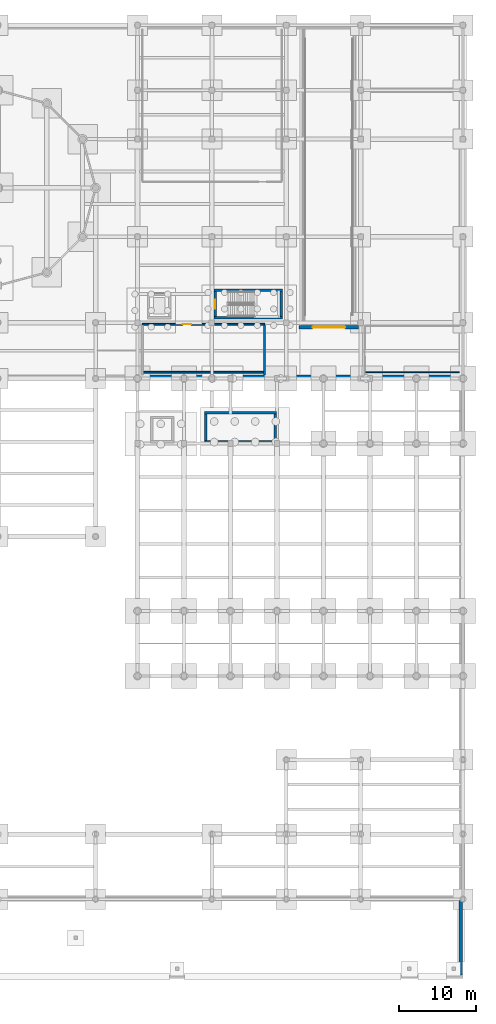
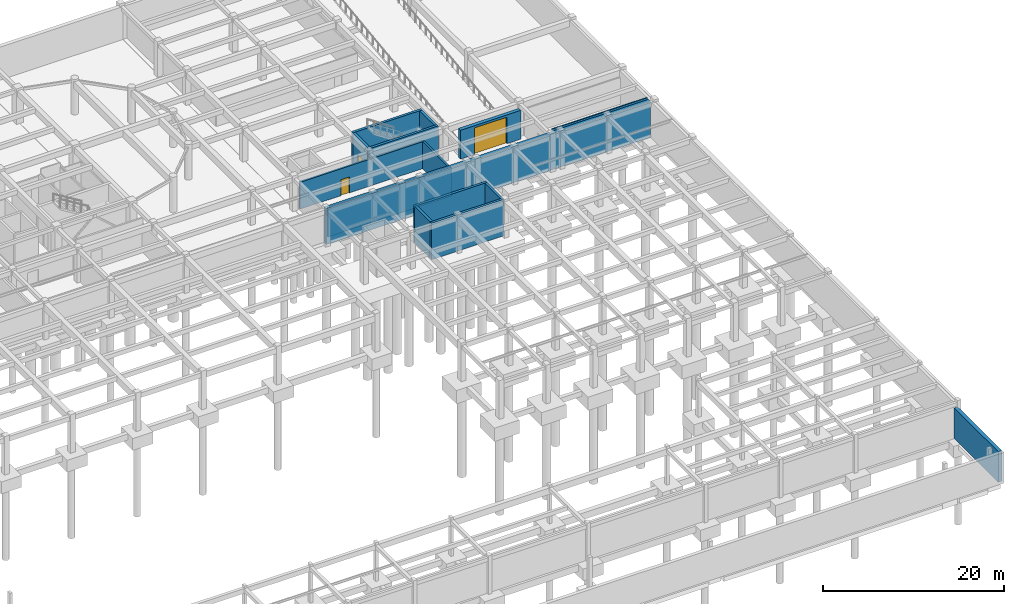
# One storey, part 25 of 37: 15 walls, 3 doors, 3 openings.
"""IFC4 building model written with IfcOpenShell, lengths in metres."""

import ifcopenshell
import ifcopenshell.guid

model = None  # the IFC model being written
_history = None  # IfcOwnerHistory: only IFC2X3 demands one
_inside = {}  # id of a spatial element -> (the spatial element, [elements in it])
_under = {}  # id of a project, library or spatial element -> (it, [spatial elements below it])
_declared = {}  # id of a project -> (the project, [libraries it declares])
_typed = {}  # id of a type object -> (the type object, [elements of that type])
_made_of = {}  # id of a material, layer set ... -> (it, [elements and type objects made of it])


def new_model(schema):
    """Start an empty IFC model of exactly this schema.

    Asked for "IFC4X3", IfcOpenShell would pick the latest addendum, in which some entities
    have other attributes; the version numbers below select the first issue.
    IFC2X3 requires an IfcOwnerHistory on every rooted entity: one is made here for all.
    """
    global model, _history
    if schema == "IFC4X3":
        model = ifcopenshell.file(schema_version=(4, 3, 0, 0))
    else:
        model = ifcopenshell.file(schema=schema)
    _inside.clear()
    _under.clear()
    _declared.clear()
    _typed.clear()
    _made_of.clear()
    _history = None
    if model.schema == "IFC2X3":
        org = make("IfcOrganization", Name="unknown")
        user = make(
            "IfcPersonAndOrganization",
            ThePerson=make("IfcPerson", FamilyName="unknown"),
            TheOrganization=org,
        )
        app = make(
            "IfcApplication",
            ApplicationDeveloper=org,
            Version="unknown",
            ApplicationFullName="unknown",
            ApplicationIdentifier="unknown",
        )
        _history = make(
            "IfcOwnerHistory",
            OwningUser=user,
            OwningApplication=app,
            ChangeAction="ADDED",
            CreationDate=0,
        )
    return model


def make(cls, **values):
    """One entity of the class cls with the attributes given. An attribute that is None is left unset."""
    return model.create_entity(
        cls, **{name: value for name, value in values.items() if value is not None}
    )


def rooted(cls, **values):
    """An entity with a GlobalId (a new one), such as an element, a storey or a relation."""
    return make(cls, GlobalId=ifcopenshell.guid.new(), OwnerHistory=_history, **values)


def si_unit(unit_type, name, prefix=None):
    """IfcSIUnit, for example si_unit("LENGTHUNIT", "METRE", prefix="MILLI")."""
    return make("IfcSIUnit", UnitType=unit_type, Prefix=prefix, Name=name)


def assignment(units):
    """IfcUnitAssignment: the units of a project."""
    return None if units is None else make("IfcUnitAssignment", Units=units)


def point(xyz):
    """IfcCartesianPoint."""
    return None if xyz is None else make("IfcCartesianPoint", Coordinates=xyz)


def direction(xyz):
    """IfcDirection."""
    return None if xyz is None else make("IfcDirection", DirectionRatios=xyz)


def frame(location, z_axis=None, x_axis=None):
    """IfcAxis2Placement3D, a coordinate frame: its origin and axes. An axis left out is left unset."""
    return make(
        "IfcAxis2Placement3D",
        Location=point(location),
        Axis=direction(z_axis),
        RefDirection=direction(x_axis),
    )


def frame_2d(location, x_axis=None):
    """IfcAxis2Placement2D, a coordinate frame in the plane: its origin and x axis."""
    return make(
        "IfcAxis2Placement2D", Location=point(location), RefDirection=direction(x_axis)
    )


def origin():
    """The frame at (0, 0, 0) with its axes left unset."""
    return frame((0.0, 0.0, 0.0))


def place(relative_to, where):
    """IfcLocalPlacement: puts the frame where relative to a parent placement (None: the world)."""
    return make(
        "IfcLocalPlacement", PlacementRelTo=relative_to, RelativePlacement=where
    )


def context(
    kind, dimensions, precision=None, world=None, true_north=None, identifier=None
):
    """IfcGeometricRepresentationContext, for example the 3D "Model" context."""
    return make(
        "IfcGeometricRepresentationContext",
        ContextIdentifier=identifier,
        ContextType=kind,
        CoordinateSpaceDimension=dimensions,
        Precision=precision,
        WorldCoordinateSystem=world,
        TrueNorth=true_north,
    )


def subcontext(parent, identifier, kind, view, scale=None):
    """IfcGeometricRepresentationSubContext, for example "Body" below "Model"."""
    return make(
        "IfcGeometricRepresentationSubContext",
        ContextIdentifier=identifier,
        ContextType=kind,
        ParentContext=parent,
        TargetScale=scale,
        TargetView=view,
    )


def project(units=None, contexts=None):
    """IfcProject with its units and contexts."""
    return rooted(
        "IfcProject",
        Name="project",
        RepresentationContexts=contexts,
        UnitsInContext=assignment(units),
    )


def spatial(cls, under=None, at=None, **own):
    """A site, building, storey or space (cls), placed at a placement, below another one or the project."""
    s = rooted(cls, ObjectPlacement=at, **own)
    if under is not None:
        _under.setdefault(under.id(), (under, []))[1].append(s)
    return s


def profile(cls, at=None, kind="AREA", **sizes):
    """A parametric profile (cls). Its sizes go by their IFC names, for example OverallWidth=200.0."""
    return make(cls, ProfileType=kind, Position=at, **sizes)


def rectangle(**sizes):
    """IfcRectangleProfileDef."""
    return profile("IfcRectangleProfileDef", **sizes)


def extrude(swept, where, along, depth):
    """IfcExtrudedAreaSolid: the profile swept, set in the frame where, extruded along a direction by depth."""
    return make(
        "IfcExtrudedAreaSolid",
        SweptArea=swept,
        Position=where,
        ExtrudedDirection=direction(along),
        Depth=depth,
    )


def shape(context_of_items, identifier, shape_type, items):
    """IfcShapeRepresentation: the items that make up one representation, for example the "Body"."""
    return make(
        "IfcShapeRepresentation",
        ContextOfItems=context_of_items,
        RepresentationIdentifier=identifier,
        RepresentationType=shape_type,
        Items=items,
    )


def material(Name=None, Category=None):
    """IfcMaterial."""
    return make("IfcMaterial", Name=Name, Category=Category)


def layer(
    of_material, thickness, ventilated=None, Name=None, Category=None, Priority=None
):
    """IfcMaterialLayer: one layer of a wall or slab, of a material (None: an air gap)."""
    return make(
        "IfcMaterialLayer",
        Material=of_material,
        LayerThickness=thickness,
        IsVentilated=ventilated,
        Name=Name,
        Category=Category,
        Priority=Priority,
    )


def layer_set(layers, Name=None):
    """IfcMaterialLayerSet."""
    return make("IfcMaterialLayerSet", MaterialLayers=layers, LayerSetName=Name)


def made_of(thing, what):
    """Note that an element or type object is made of a material, layer set ...; save() writes the relation."""
    if what is not None:
        _made_of.setdefault(what.id(), (what, []))[1].append(thing)
    return thing


def type_object(cls, material=None, **own):
    """A type object (cls), such as IfcWallType, which elements share."""
    return made_of(rooted(cls, **own), material)


def element(
    cls,
    number,
    at=None,
    inside=None,
    cuts=None,
    type_object=None,
    material=None,
    context=None,
    identifier="Body",
    shape_type=None,
    held_by="IfcProductDefinitionShape",
    body=None,
    shapes=None,
    **own,
):
    """One element of the class cls, such as IfcWall. Its Tag is "e" and its number.

    at: its placement. inside: the storey or other place that contains it. cuts: it is an
    opening in that element (IfcRelVoidsElement). A single representation is given by context,
    identifier, shape_type and body (its items); several are given by shapes. held_by: the class
    of the entity that holds the representations. save() writes the other relations.
    """
    e = rooted(cls, Tag="e%d" % number, ObjectPlacement=at, **own)
    if body is not None:
        shapes = [shape(context, identifier, shape_type, body)]
    if shapes is not None:
        e.Representation = make(held_by, Representations=shapes)
    if inside is not None:
        _inside.setdefault(inside.id(), (inside, []))[1].append(e)
    if cuts is not None:
        rooted(
            "IfcRelVoidsElement", RelatingBuildingElement=cuts, RelatedOpeningElement=e
        )
    if type_object is not None:
        _typed.setdefault(type_object.id(), (type_object, []))[1].append(e)
    return made_of(e, material)


def fill(opening, filler):
    """IfcRelFillsElement: the door or window that sits in an opening."""
    return rooted(
        "IfcRelFillsElement",
        RelatingOpeningElement=opening,
        RelatedBuildingElement=filler,
    )


def aggregate(whole, parts):
    """IfcRelAggregates: a whole, such as a stair, and the parts it consists of."""
    return rooted("IfcRelAggregates", RelatingObject=whole, RelatedObjects=parts)


def save(model, path):
    """Write the relations noted so far, then the file.

    IfcRelAggregates (storeys below a building ...), IfcRelContainedInSpatialStructure (elements
    in a storey), IfcRelDefinesByType, IfcRelAssociatesMaterial and IfcRelDeclares: one each for
    every whole, place, type object, material and project.
    """
    for whole, parts in _under.values():
        aggregate(whole, parts)
    for where, things in _inside.values():
        rooted(
            "IfcRelContainedInSpatialStructure",
            RelatedElements=things,
            RelatingStructure=where,
        )
    for kind, things in _typed.values():
        rooted("IfcRelDefinesByType", RelatedObjects=things, RelatingType=kind)
    for what, things in _made_of.values():
        rooted("IfcRelAssociatesMaterial", RelatedObjects=things, RelatingMaterial=what)
    for by, libraries in _declared.values():
        rooted("IfcRelDeclares", RelatingContext=by, RelatedDefinitions=libraries)
    model.write(path)


model = new_model("IFC4")

# Units and contexts
model_context = context("Model", 3, precision=1e-05, world=origin(), true_north=direction((0.0, 1.0)))
body_context = subcontext(model_context, "Body", "Model", "MODEL_VIEW")
ifc_project = project(units=[si_unit("LENGTHUNIT", "METRE"), si_unit("AREAUNIT", "SQUARE_METRE"), si_unit("VOLUMEUNIT", "CUBIC_METRE"), si_unit("PLANEANGLEUNIT", "RADIAN"), si_unit("MASSUNIT", "GRAM", prefix="KILO")], contexts=[model_context])

# Site, building, storey
site_placement = place(None, origin())
site = spatial("IfcSite", under=ifc_project, at=site_placement, CompositionType="ELEMENT")
building_placement = place(site_placement, origin())
building = spatial("IfcBuilding", under=site, at=building_placement, Name="Tarnavel Promenade Courthouse", CompositionType="ELEMENT")
storey_placement = place(building_placement, frame((0.0, 0.0, -4.800048828125)))
storey = spatial("IfcBuildingStorey", under=building, at=storey_placement, Name="B01", CompositionType="ELEMENT", Elevation=-4.800048828125)

# Walls
ifc_material_1 = material(Name="Concrete C35/45", Category="concrete")
ifc_layer_1 = layer(ifc_material_1, 0.449951171875)
ifc_layer_set_1 = layer_set([ifc_layer_1], Name="Concrete C35/45")
wall_type_1 = type_object("IfcWallType", Name="Concrete C35/45 WL-RET-450 (450 mm)", PredefinedType="SOLIDWALL", material=ifc_layer_set_1)
wall_1_placement = place(storey_placement, frame((161.5, 67.449951171875, -0.419921875), z_axis=(0.0, 0.0, 1.0), x_axis=(-1.0, 0.0, 0.0)))
element("IfcWall", 1, at=wall_1_placement, inside=storey, type_object=wall_type_1, Name="B01 South Perimeter Retaining Wall 0006", PredefinedType="SOLIDWALL", context=body_context, shape_type="SweptSolid", body=[
    extrude(rectangle(XDim=41.5, YDim=0.449951171875, at=frame_2d((20.75, 0.0))), origin(), (0.0, 0.0, 1.0), 4.869873046875),
])
wall_2_placement = place(storey_placement, frame((161.75, 0.0, -0.419921875), z_axis=(0.0, 0.0, 1.0), x_axis=(0.0, -1.0, 0.0)))
element("IfcWall", 2, at=wall_2_placement, inside=storey, type_object=wall_type_1, Name="B01 East Apron Frost-Skirt Plinth Wall 0012", PredefinedType="SOLIDWALL", context=body_context, shape_type="SweptSolid", body=[
    extrude(rectangle(XDim=9.760009765625, YDim=0.449951171875, at=frame_2d((4.8798828125, 0.0))), origin(), (0.0, 0.0, 1.0), 4.14990234375),
])

# Wall, opening, door
ifc_material_2 = material(Name="Concrete C40/50", Category="concrete")
ifc_layer_2 = layer(ifc_material_2, 0.4599609375)
ifc_layer_set_2 = layer_set([ifc_layer_2], Name="Concrete C40/50")
wall_type_2 = type_object("IfcWallType", Name="Concrete C40/50 WL-SEC-460 (460 mm)", PredefinedType="STANDARD", material=ifc_layer_set_2)
wall_3_placement = place(storey_placement, frame((140.85009765625, 73.800048828125, 0.0), z_axis=(0.0, 0.0, 1.0), x_axis=(1.0, 0.0, 0.0)))
wall_3 = element("IfcWall", 3, at=wall_3_placement, inside=storey, type_object=wall_type_2, Name="B01 B01 Judicial Garage Ramp Portal Wall 0013", PredefinedType="STANDARD", context=body_context, shape_type="SweptSolid", body=[
    extrude(rectangle(XDim=7.699951171875, YDim=0.4599609375, at=frame_2d((3.85009765625, 0.0))), origin(), (0.0, 0.0, 1.0), 3.900146484375),
])
opening_1_placement = place(wall_3_placement, frame((1.75, 0.0, 0.0)))
opening_1 = element("IfcOpeningElement", 4, at=opening_1_placement, cuts=wall_3, Name="Opening GT-01", PredefinedType="OPENING", context=body_context, shape_type="SweptSolid", body=[
    extrude(rectangle(XDim=4.199951171875, YDim=3.60009765625, at=frame_2d((2.10009765625, 1.800048828125))), frame((0.0, 0.239990234375, 0.0), z_axis=(0.0, -1.0, 0.0), x_axis=(1.0, 0.0, 0.0)), (0.0, 0.0, 1.0), 0.47998046875),
])
ifc_material_3 = material(Name="Armoured Insulated Steel Sallyport Roller Shutter Gate", Category="steel")
door_type_1 = type_object("IfcDoorType", Name="Armoured Insulated Steel Sallyport Roller Shutter Gate (GT-SAL-4200x3600)", OperationType="NOTDEFINED", PredefinedType="GATE", material=ifc_material_3)
door_1_placement = place(opening_1_placement, origin())
door_1 = element("IfcDoor", 5, at=door_1_placement, inside=storey, type_object=door_type_1, Name="B01 Judicial Car Park Vehicle Ramp Entry Roller Gate", OperationType="ROLLINGUP", OverallHeight=3.60009765625, OverallWidth=4.199951171875, PredefinedType="GATE", context=body_context, shape_type="SweptSolid", body=[
    extrude(rectangle(XDim=4.199951171875, YDim=3.60009765625, at=frame_2d((2.10009765625, 1.800048828125))), frame((0.0, 0.02490234375, 0.0), z_axis=(0.0, -1.0, 0.0), x_axis=(1.0, 0.0, 0.0)), (0.0, 0.0, 1.0), 0.050048828125),
])
fill(opening_1, door_1)

# Walls
ifc_layer_3 = layer(ifc_material_2, 0.320068359375)
ifc_layer_set_3 = layer_set([ifc_layer_3], Name="Concrete C40/50")
wall_type_3 = type_object("IfcWallType", Name="Concrete C40/50 WL-SHR-320 (320 mm)", PredefinedType="SHEAR", material=ifc_layer_set_3)
for number, where, z_axis, x_axis, name in (
    (6, (129.860107421875, 78.580078125, -0.419921875), (0.0, 0.0, 1.0), (1.0, 0.0, 0.0), "B01 ST-06 Shear Core North Wall"),
    (7, (138.739990234375, 75.02001953125, -0.419921875), (0.0, 0.0, 1.0), (-1.0, 0.0, 0.0), "B01 ST-06 Shear Core South Wall"),
):
    element("IfcWall", number, at=place(storey_placement, frame(where, z_axis=z_axis, x_axis=x_axis)), inside=storey, type_object=wall_type_3, Name=name, PredefinedType="SHEAR", context=body_context, shape_type="SweptSolid", body=[
        extrude(rectangle(XDim=8.8798828125, YDim=0.320068359375, at=frame_2d((4.43994140625, 0.0))), origin(), (0.0, 0.0, 1.0), 4.875),
    ])

# Wall, opening, door
wall_4_placement = place(storey_placement, frame((130.02001953125, 75.179931640625, -0.419921875), z_axis=(0.0, 0.0, 1.0), x_axis=(0.0, 1.0, 0.0)))
wall_4 = element("IfcWall", 8, at=wall_4_placement, inside=storey, type_object=wall_type_3, Name="B01 ST-06 Shear Core West Landing Wall", PredefinedType="SHEAR", context=body_context, shape_type="SweptSolid", body=[
    extrude(rectangle(XDim=3.239990234375, YDim=0.320068359375, at=frame_2d((1.6201171875, 0.0))), origin(), (0.0, 0.0, 1.0), 4.875),
])
opening_2_placement = place(wall_4_placement, frame((1.044921875, 0.0, 0.419921875)))
opening_2 = element("IfcOpeningElement", 9, at=opening_2_placement, cuts=wall_4, Name="Opening FD-01", PredefinedType="OPENING", context=body_context, shape_type="SweptSolid", body=[
    extrude(rectangle(XDim=1.14990234375, YDim=2.199951171875, at=frame_2d((0.574951171875, 1.10009765625))), frame((0.0, 0.169921875, 0.0), z_axis=(0.0, -1.0, 0.0), x_axis=(1.0, 0.0, 0.0)), (0.0, 0.0, 1.0), 0.340087890625),
])
ifc_material_4 = material(Name="Steel Fire-Rated Stair Core Door", Category="steel")
door_type_2 = type_object("IfcDoorType", Name="Steel Fire-Rated Stair Core Door (DR-ST-1150x2200)", OperationType="NOTDEFINED", PredefinedType="DOOR", material=ifc_material_4)
door_2_placement = place(opening_2_placement, origin())
door_2 = element("IfcDoor", 10, at=door_2_placement, inside=storey, type_object=door_type_2, Name="B01 ST-06 Protected Exit Stair Door", OperationType="SINGLE_SWING_LEFT", OverallHeight=2.199951171875, OverallWidth=1.14990234375, PredefinedType="DOOR", context=body_context, shape_type="SweptSolid", body=[
    extrude(rectangle(XDim=1.14990234375, YDim=2.199951171875, at=frame_2d((0.574951171875, 1.10009765625))), frame((0.0, 0.02490234375, 0.0), z_axis=(0.0, -1.0, 0.0), x_axis=(1.0, 0.0, 0.0)), (0.0, 0.0, 1.0), 0.050048828125),
])
fill(opening_2, door_2)

# Walls
wall_5_placement = place(storey_placement, frame((138.580078125, 78.419921875, -0.419921875), z_axis=(0.0, 0.0, 1.0), x_axis=(0.0, -1.0, 0.0)))
element("IfcWall", 11, at=wall_5_placement, inside=storey, type_object=wall_type_3, Name="B01 ST-06 Shear Core East Wall", PredefinedType="SHEAR", context=body_context, shape_type="SweptSolid", body=[
    extrude(rectangle(XDim=3.239990234375, YDim=0.320068359375, at=frame_2d((1.6201171875, 0.0))), origin(), (0.0, 0.0, 1.0), 4.875),
])
for number, where, z_axis, x_axis, name in (
    (12, (128.659912109375, 62.780029296875, -0.419921875), (0.0, 0.0, 1.0), (1.0, 0.0, 0.0), "B01 ST-08 Shear Core North Wall"),
    (13, (137.93994140625, 59.02001953125, -0.419921875), (0.0, 0.0, 1.0), (-1.0, 0.0, 0.0), "B01 ST-08 Shear Core South Wall"),
):
    element("IfcWall", number, at=place(storey_placement, frame(where, z_axis=z_axis, x_axis=x_axis)), inside=storey, type_object=wall_type_3, Name=name, PredefinedType="SHEAR", context=body_context, shape_type="SweptSolid", body=[
        extrude(rectangle(XDim=9.280029296875, YDim=0.320068359375, at=frame_2d((4.64013671875, 0.0))), origin(), (0.0, 0.0, 1.0), 4.93994140625),
    ])
for number, where, z_axis, x_axis, name in (
    (14, (128.820068359375, 59.179931640625, -0.419921875), (0.0, 0.0, 1.0), (0.0, 1.0, 0.0), "B01 ST-08 Shear Core West Landing Wall"),
    (15, (137.780029296875, 62.6201171875, -0.419921875), (0.0, 0.0, 1.0), (0.0, -1.0, 0.0), "B01 ST-08 Shear Core East Wall"),
):
    element("IfcWall", number, at=place(storey_placement, frame(where, z_axis=z_axis, x_axis=x_axis)), inside=storey, type_object=wall_type_3, Name=name, PredefinedType="SHEAR", context=body_context, shape_type="SweptSolid", body=[
        extrude(rectangle(XDim=3.440185546875, YDim=0.320068359375, at=frame_2d((1.72021484375, 0.0))), origin(), (0.0, 0.0, 1.0), 4.93994140625),
    ])

# Wall, opening, door
ifc_material_5 = material(Name="Concrete Masonry Fire Compartment Wall", Category="masonry")
ifc_layer_4 = layer(ifc_material_5, 0.22998046875)
ifc_layer_set_4 = layer_set([ifc_layer_4], Name="Concrete Masonry Fire Compartment Wall")
wall_type_4 = type_object("IfcWallType", Name="Concrete Masonry Fire Compartment Wall WL-CMP-230 (230 mm)", PredefinedType="STANDARD", material=ifc_layer_set_4)
wall_6_placement = place(storey_placement, frame((120.60009765625, 74.199951171875, 0.0), z_axis=(0.0, 0.0, 1.0), x_axis=(1.0, 0.0, 0.0)))
wall_6 = element("IfcWall", 16, at=wall_6_placement, inside=storey, type_object=wall_type_4, Name="B01 Custody Suite Basement Holding Cells Partition 0073", PredefinedType="STANDARD", context=body_context, shape_type="SweptSolid", body=[
    extrude(rectangle(XDim=15.7998046875, YDim=0.22998046875, at=frame_2d((7.89990234375, 0.0))), origin(), (0.0, 0.0, 1.0), 3.64013671875),
])
opening_3_placement = place(wall_6_placement, frame((5.267578125, 0.0, 0.0)))
opening_3 = element("IfcOpeningElement", 17, at=opening_3_placement, cuts=wall_6, Name="Opening SD-01", PredefinedType="OPENING", context=body_context, shape_type="SweptSolid", body=[
    extrude(rectangle(XDim=1.050048828125, YDim=2.14990234375, at=frame_2d((0.52490234375, 1.074951171875))), frame((0.0, 0.125, 0.0), z_axis=(0.0, -1.0, 0.0), x_axis=(1.0, 0.0, 0.0)), (0.0, 0.0, 1.0), 0.25),
])
ifc_material_6 = material(Name="Reinforced Steel Custody Cell Security Door", Category="concrete")
door_type_3 = type_object("IfcDoorType", Name="Reinforced Steel Custody Cell Security Door (DR-CUS-1050x2150)", OperationType="NOTDEFINED", PredefinedType="DOOR", material=ifc_material_6)
door_3_placement = place(opening_3_placement, origin())
door_3 = element("IfcDoor", 18, at=door_3_placement, inside=storey, type_object=door_type_3, Name="B01 Custody Suite Basement Holding Cells Door 0021", OperationType="SINGLE_SWING_LEFT", OverallHeight=2.14990234375, OverallWidth=1.050048828125, PredefinedType="DOOR", context=body_context, shape_type="SweptSolid", body=[
    extrude(rectangle(XDim=1.050048828125, YDim=2.14990234375, at=frame_2d((0.52490234375, 1.074951171875))), frame((0.0, 0.02490234375, 0.0), z_axis=(0.0, -1.0, 0.0), x_axis=(1.0, 0.0, 0.0)), (0.0, 0.0, 1.0), 0.050048828125),
])
fill(opening_3, door_3)

# Walls
wall_7_placement = place(storey_placement, frame((136.39990234375, 68.0, 0.0), z_axis=(0.0, 0.0, 1.0), x_axis=(-1.0, 0.0, 0.0)))
element("IfcWall", 19, at=wall_7_placement, inside=storey, type_object=wall_type_4, Name="B01 Custody Suite Basement Holding Cells Partition 0074", PredefinedType="STANDARD", context=body_context, shape_type="SweptSolid", body=[
    extrude(rectangle(XDim=15.7998046875, YDim=0.22998046875, at=frame_2d((7.89990234375, 0.0))), origin(), (0.0, 0.0, 1.0), 3.93994140625),
])
wall_8_placement = place(storey_placement, frame((136.39990234375, 74.074951171875, 0.0), z_axis=(0.0, 0.0, 1.0), x_axis=(0.0, -1.0, 0.0)))
element("IfcWall", 20, at=wall_8_placement, inside=storey, type_object=wall_type_4, Name="B01 Custody Suite Basement Holding Cells Partition 0076", PredefinedType="STANDARD", context=body_context, shape_type="SweptSolid", body=[
    extrude(rectangle(XDim=6.406005859375, YDim=0.22998046875, at=frame_2d((3.203125, 0.0))), origin(), (0.0, 0.0, 1.0), 3.68994140625),
])
ifc_material_7 = material(Name="Metal-Stud Acoustic Gypsum Partition", Category="gypsum")
ifc_layer_5 = layer(ifc_material_7, 0.135009765625)
ifc_layer_set_5 = layer_set([ifc_layer_5], Name="Metal-Stud Acoustic Gypsum Partition")
wall_type_5 = type_object("IfcWallType", Name="Metal-Stud Acoustic Gypsum Partition WL-OFF-135 (135 mm)", PredefinedType="PARTITIONING", material=ifc_layer_set_5)
wall_9_placement = place(storey_placement, frame((161.506103515625, 68.0, 0.0), z_axis=(0.0, 0.0, 1.0), x_axis=(-1.0, 0.0, 0.0)))
element("IfcWall", 21, at=wall_9_placement, inside=storey, type_object=wall_type_5, Name="B01 Judicial Car Park Far-East Bays Partition 0081", PredefinedType="PARTITIONING", context=body_context, shape_type="SweptSolid", body=[
    extrude(rectangle(XDim=12.2060546875, YDim=0.135009765625, at=frame_2d((6.10302734375, 0.0))), origin(), (0.0, 0.0, 1.0), 4.505126953125),
])

save(model, "model.ifc")
